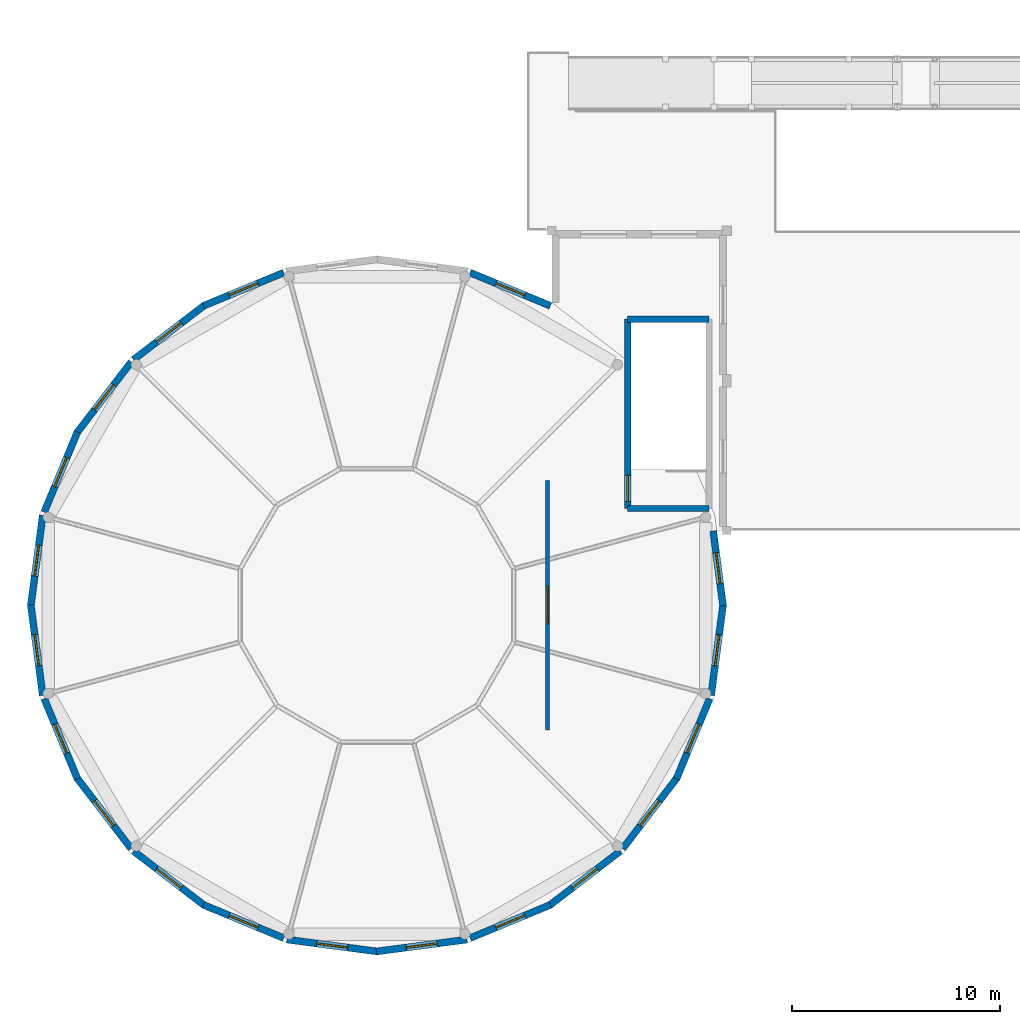
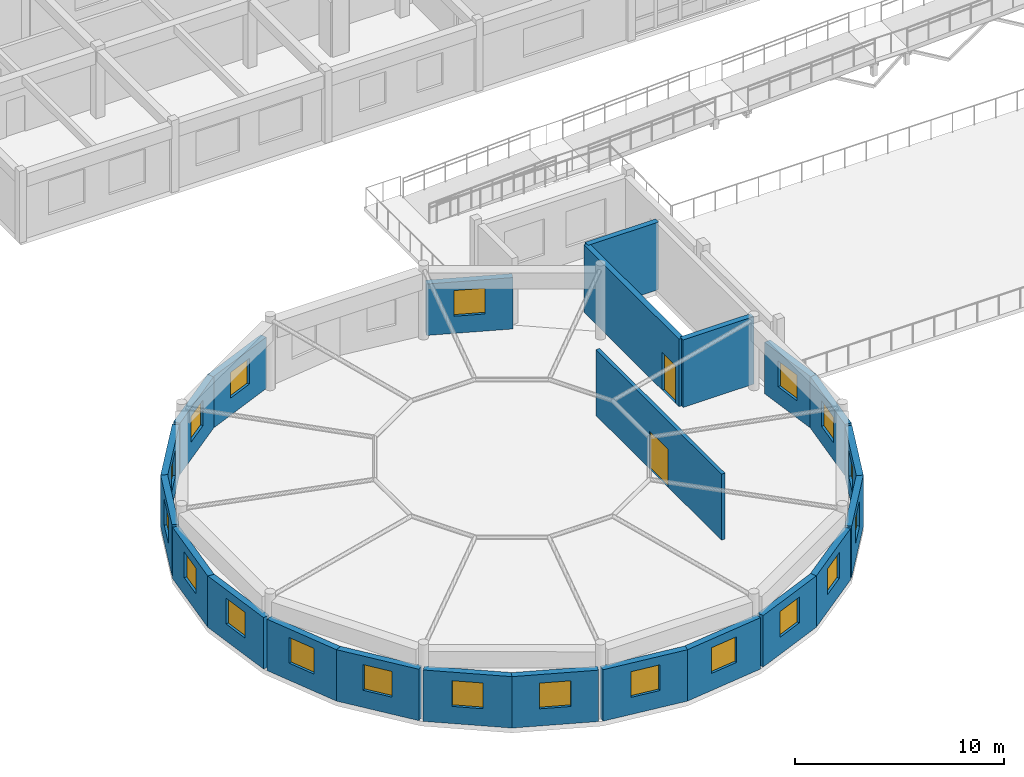
# One storey, part 67 of 90: 23 walls, 19 windows, 2 doors, 21 openings.
"""IFC4 building model written with IfcOpenShell, lengths in metres."""

from ifc_helpers import new_model, si_unit, direction, frame, frame_2d, origin, place, context, subcontext, project, spatial, rectangle, extrude, material, layer, layer_set, type_object, element, fill, save


model = new_model("IFC4")

# Units and contexts
model_context = context("Model", 3, precision=1e-05, world=origin(), true_north=direction((0.0, 1.0)))
body_context = subcontext(model_context, "Body", "Model", "MODEL_VIEW")
ifc_project = project(units=[si_unit("LENGTHUNIT", "METRE"), si_unit("AREAUNIT", "SQUARE_METRE"), si_unit("VOLUMEUNIT", "CUBIC_METRE"), si_unit("PLANEANGLEUNIT", "RADIAN"), si_unit("MASSUNIT", "GRAM", prefix="KILO")], contexts=[model_context])

# Site, building, storey
site_placement = place(None, origin())
site = spatial("IfcSite", under=ifc_project, at=site_placement, CompositionType="ELEMENT")
building_placement = place(site_placement, origin())
building = spatial("IfcBuilding", under=site, at=building_placement, Name="Malvenik Polytechnic", CompositionType="ELEMENT")
storey_placement = place(building_placement, frame((0.0, 0.0, 9.300048828125)))
storey = spatial("IfcBuildingStorey", under=building, at=storey_placement, Name="L02", CompositionType="ELEMENT", Elevation=9.300048828125)

# Wall
ifc_material_1 = material(Name="Concrete C35/45", Category="concrete")
ifc_layer_1 = layer(ifc_material_1, 0.300048828125)
ifc_layer_set_1 = layer_set([ifc_layer_1], Name="Concrete C35/45")
wall_type_1 = type_object("IfcWallType", Name="ARC-CW-S300", PredefinedType="SHEAR", material=ifc_layer_set_1)
wall_1_placement = place(storey_placement, frame((32.75, 22.64990234375, 0.0), z_axis=(0.0, 0.0, 1.0), x_axis=(-1.0, 0.0, 0.0)))
element("IfcWall", 1, at=wall_1_placement, inside=storey, type_object=wall_type_1, Name="Stair Core Shear Wall ST-09 L02 NEAR", PredefinedType="SHEAR", context=body_context, shape_type="SweptSolid", body=[
    extrude(rectangle(XDim=3.89990234375, YDim=0.300048828125, at=frame_2d((1.949951171875, 0.0))), origin(), (0.0, 0.0, 1.0), 3.93994140625),
])

# Wall, opening, door
wall_2_placement = place(storey_placement, frame((28.85009765625, 22.64990234375, 0.0), z_axis=(0.0, 0.0, 1.0), x_axis=(0.0, 1.0, 0.0)))
wall_2 = element("IfcWall", 2, at=wall_2_placement, inside=storey, type_object=wall_type_1, Name="Stair Core Shear Wall ST-09 L02 RGHT", PredefinedType="SHEAR", context=body_context, shape_type="SweptSolid", body=[
    extrude(rectangle(XDim=9.10009765625, YDim=0.300048828125, at=frame_2d((4.550048828125, 0.0))), origin(), (0.0, 0.0, 1.0), 3.93994140625),
])
opening_1_placement = place(wall_2_placement, frame((0.35009765625, 0.0, 0.0)))
opening_1 = element("IfcOpeningElement", 3, at=opening_1_placement, cuts=wall_2, Name="Opening SD-02", PredefinedType="OPENING", context=body_context, shape_type="SweptSolid", body=[
    extrude(rectangle(XDim=1.25, YDim=2.199951171875, at=frame_2d((0.625, 1.10009765625))), frame((0.0, 0.16015625, 0.0), z_axis=(0.0, -1.0, 0.0), x_axis=(1.0, 0.0, 0.0)), (0.0, 0.0, 1.0), 0.320068359375),
])
ifc_material_2 = material(Name="Fire-rated steel stair enclosure door", Category="steel")
door_type_1 = type_object("IfcDoorType", Name="ARC-IDR-SD-02", OperationType="NOTDEFINED", PredefinedType="DOOR", material=ifc_material_2)
door_1_placement = place(opening_1_placement, origin())
door_1 = element("IfcDoor", 4, at=door_1_placement, inside=storey, type_object=door_type_1, Name="Fire Stair Door ST-09 L02", OperationType="SINGLE_SWING_LEFT", OverallHeight=2.199951171875, OverallWidth=1.25, PredefinedType="DOOR", context=body_context, shape_type="SweptSolid", body=[
    extrude(rectangle(XDim=1.25, YDim=2.199951171875, at=frame_2d((0.625, 1.10009765625))), frame((0.0, 0.02490234375, 0.0), z_axis=(0.0, -1.0, 0.0), x_axis=(1.0, 0.0, 0.0)), (0.0, 0.0, 1.0), 0.050048828125),
])
fill(opening_1, door_1)

# Wall
wall_3_placement = place(storey_placement, frame((28.85009765625, 31.75, 0.0), z_axis=(0.0, 0.0, 1.0), x_axis=(1.0, 0.0, 0.0)))
element("IfcWall", 5, at=wall_3_placement, inside=storey, type_object=wall_type_1, Name="Stair Core Shear Wall ST-09 L02 FAR", PredefinedType="SHEAR", context=body_context, shape_type="SweptSolid", body=[
    extrude(rectangle(XDim=3.89990234375, YDim=0.300048828125, at=frame_2d((1.949951171875, 0.0))), origin(), (0.0, 0.0, 1.0), 3.93994140625),
])

# Wall, opening, window
ifc_material_3 = material(Name="Concrete C30/37", Category="concrete")
ifc_layer_2 = layer(ifc_material_3, 0.340087890625)
ifc_layer_set_2 = layer_set([ifc_layer_2], Name="Concrete C30/37")
wall_type_2 = type_object("IfcWallType", Name="ARC-EW-340", PredefinedType="SOLIDWALL", material=ifc_layer_set_2)
wall_4_placement = place(storey_placement, frame((32.7890625, 13.52001953125, 0.0), z_axis=(0.0, 0.0, 1.0), x_axis=(-0.382711791263, -0.923867785361, 0.0)))
wall_4 = element("IfcWall", 6, at=wall_4_placement, inside=storey, type_object=wall_type_2, Name="External Facade Wall EW-02 L02 #352", PredefinedType="SOLIDWALL", context=body_context, shape_type="SweptSolid", body=[
    extrude(rectangle(XDim=4.172607421875, YDim=0.340087890625, at=frame_2d((2.08642578125, 0.0))), origin(), (0.0, 0.0, 1.0), 3.0),
])
opening_2_placement = place(wall_4_placement, frame((1.336181640625, 0.0, 1.0)))
opening_2 = element("IfcOpeningElement", 7, at=opening_2_placement, cuts=wall_4, Name="Opening W-OC2", PredefinedType="OPENING", context=body_context, shape_type="SweptSolid", body=[
    extrude(rectangle(XDim=1.5, YDim=1.5, at=frame_2d((0.75, 0.75))), frame((0.0, 0.18017578125, 0.0), z_axis=(0.0, -1.0, 0.0), x_axis=(1.0, 0.0, 0.0)), (0.0, 0.0, 1.0), 0.360107421875),
])
ifc_material_4 = material(Name="Thermally broken aluminium frame with low-E double glazing", Category="aluminium")
window_type = type_object("IfcWindowType", Name="ARC-WIN-W-OC2", PartitioningType="SINGLE_PANEL", PredefinedType="WINDOW", material=ifc_material_4)
window_1_placement = place(opening_2_placement, origin())
window_1 = element("IfcWindow", 8, at=window_1_placement, inside=storey, type_object=window_type, Name="Rotunda Ocular Window W-OC2 L02 #351", OverallHeight=1.5, OverallWidth=1.5, PartitioningType="SINGLE_PANEL", PredefinedType="WINDOW", context=body_context, shape_type="SweptSolid", body=[
    extrude(rectangle(XDim=1.5, YDim=1.5, at=frame_2d((0.75, 0.75))), frame((0.0, 0.030029296875, 0.0), z_axis=(0.0, -1.0, 0.0), x_axis=(1.0, 0.0, 0.0)), (0.0, 0.0, 1.0), 0.06005859375),
])
fill(opening_2, window_1)

wall_5_placement = place(storey_placement, frame((31.21435546875, 9.70361328125, 0.0), z_axis=(0.0, 0.0, 1.0), x_axis=(-0.608762012481, -0.793352892577, 0.0)))
wall_5 = element("IfcWall", 9, at=wall_5_placement, inside=storey, type_object=wall_type_2, Name="External Facade Wall EW-02 L02 #353", PredefinedType="SOLIDWALL", context=body_context, shape_type="SweptSolid", body=[
    extrude(rectangle(XDim=4.280029296875, YDim=0.340087890625, at=frame_2d((2.14013671875, 0.0))), origin(), (0.0, 0.0, 1.0), 3.0),
])
opening_3_placement = place(wall_5_placement, frame((1.389892578125, 0.0, 1.0)))
opening_3 = element("IfcOpeningElement", 10, at=opening_3_placement, cuts=wall_5, Name="Opening W-OC2", PredefinedType="OPENING", context=body_context, shape_type="SweptSolid", body=[
    extrude(rectangle(XDim=1.5, YDim=1.5, at=frame_2d((0.75, 0.75))), frame((0.0, 0.18017578125, 0.0), z_axis=(0.0, -1.0, 0.0), x_axis=(1.0, 0.0, 0.0)), (0.0, 0.0, 1.0), 0.360107421875),
])
window_2_placement = place(opening_3_placement, origin())
window_2 = element("IfcWindow", 11, at=window_2_placement, inside=storey, type_object=window_type, Name="Rotunda Ocular Window W-OC2 L02 #352", OverallHeight=1.5, OverallWidth=1.5, PartitioningType="SINGLE_PANEL", PredefinedType="WINDOW", context=body_context, shape_type="SweptSolid", body=[
    extrude(rectangle(XDim=1.5, YDim=1.5, at=frame_2d((0.75, 0.75))), frame((0.0, 0.030029296875, 0.0), z_axis=(0.0, -1.0, 0.0), x_axis=(1.0, 0.0, 0.0)), (0.0, 0.0, 1.0), 0.06005859375),
])
fill(opening_3, window_2)

wall_6_placement = place(storey_placement, frame((28.491943359375, 6.19091796875, 0.0), z_axis=(0.0, 0.0, 1.0), x_axis=(-0.793380442346, -0.608726107296, 0.0)))
wall_6 = element("IfcWall", 12, at=wall_6_placement, inside=storey, type_object=wall_type_2, Name="External Facade Wall EW-02 L02 #354", PredefinedType="SOLIDWALL", context=body_context, shape_type="SweptSolid", body=[
    extrude(rectangle(XDim=4.27978515625, YDim=0.340087890625, at=frame_2d((2.139892578125, 0.0))), origin(), (0.0, 0.0, 1.0), 3.0),
])
opening_4_placement = place(wall_6_placement, frame((1.389892578125, 0.0, 1.0)))
opening_4 = element("IfcOpeningElement", 13, at=opening_4_placement, cuts=wall_6, Name="Opening W-OC2", PredefinedType="OPENING", context=body_context, shape_type="SweptSolid", body=[
    extrude(rectangle(XDim=1.5, YDim=1.5, at=frame_2d((0.75, 0.75))), frame((0.0, 0.18017578125, 0.0), z_axis=(0.0, -1.0, 0.0), x_axis=(1.0, 0.0, 0.0)), (0.0, 0.0, 1.0), 0.360107421875),
])
window_3_placement = place(opening_4_placement, origin())
window_3 = element("IfcWindow", 14, at=window_3_placement, inside=storey, type_object=window_type, Name="Rotunda Ocular Window W-OC2 L02 #353", OverallHeight=1.5, OverallWidth=1.5, PartitioningType="SINGLE_PANEL", PredefinedType="WINDOW", context=body_context, shape_type="SweptSolid", body=[
    extrude(rectangle(XDim=1.5, YDim=1.5, at=frame_2d((0.75, 0.75))), frame((0.0, 0.030029296875, 0.0), z_axis=(0.0, -1.0, 0.0), x_axis=(1.0, 0.0, 0.0)), (0.0, 0.0, 1.0), 0.06005859375),
])
fill(opening_4, window_3)

wall_7_placement = place(storey_placement, frame((25.135009765625, 3.60791015625, 0.0), z_axis=(0.0, 0.0, 1.0), x_axis=(-0.923867785361, -0.382711791263, 0.0)))
wall_7 = element("IfcWall", 15, at=wall_7_placement, inside=storey, type_object=wall_type_2, Name="External Facade Wall EW-02 L02 #355", PredefinedType="SOLIDWALL", context=body_context, shape_type="SweptSolid", body=[
    extrude(rectangle(XDim=4.172607421875, YDim=0.340087890625, at=frame_2d((2.08642578125, 0.0))), origin(), (0.0, 0.0, 1.0), 3.0),
])
opening_5_placement = place(wall_7_placement, frame((1.336181640625, 0.0, 1.0)))
opening_5 = element("IfcOpeningElement", 16, at=opening_5_placement, cuts=wall_7, Name="Opening W-OC2", PredefinedType="OPENING", context=body_context, shape_type="SweptSolid", body=[
    extrude(rectangle(XDim=1.5, YDim=1.5, at=frame_2d((0.75, 0.75))), frame((0.0, 0.18017578125, 0.0), z_axis=(0.0, -1.0, 0.0), x_axis=(1.0, 0.0, 0.0)), (0.0, 0.0, 1.0), 0.360107421875),
])
window_4_placement = place(opening_5_placement, origin())
window_4 = element("IfcWindow", 17, at=window_4_placement, inside=storey, type_object=window_type, Name="Rotunda Ocular Window W-OC2 L02 #354", OverallHeight=1.5, OverallWidth=1.5, PartitioningType="SINGLE_PANEL", PredefinedType="WINDOW", context=body_context, shape_type="SweptSolid", body=[
    extrude(rectangle(XDim=1.5, YDim=1.5, at=frame_2d((0.75, 0.75))), frame((0.0, 0.030029296875, 0.0), z_axis=(0.0, -1.0, 0.0), x_axis=(1.0, 0.0, 0.0)), (0.0, 0.0, 1.0), 0.06005859375),
])
fill(opening_5, window_4)

wall_8_placement = place(storey_placement, frame((21.1259765625, 1.94091796875, 0.0), z_axis=(0.0, 0.0, 1.0), x_axis=(-0.991442923275, -0.130540912694, 0.0)))
wall_8 = element("IfcWall", 18, at=wall_8_placement, inside=storey, type_object=wall_type_2, Name="External Facade Wall EW-02 L02 #356", PredefinedType="SOLIDWALL", context=body_context, shape_type="SweptSolid", body=[
    extrude(rectangle(XDim=4.3857421875, YDim=0.340087890625, at=frame_2d((2.19287109375, 0.0))), origin(), (0.0, 0.0, 1.0), 3.0),
])
opening_6_placement = place(wall_8_placement, frame((1.44287109375, 0.0, 1.0)))
opening_6 = element("IfcOpeningElement", 19, at=opening_6_placement, cuts=wall_8, Name="Opening W-OC2", PredefinedType="OPENING", context=body_context, shape_type="SweptSolid", body=[
    extrude(rectangle(XDim=1.5, YDim=1.5, at=frame_2d((0.75, 0.75))), frame((0.0, 0.18017578125, 0.0), z_axis=(0.0, -1.0, 0.0), x_axis=(1.0, 0.0, 0.0)), (0.0, 0.0, 1.0), 0.360107421875),
])
window_5_placement = place(opening_6_placement, origin())
window_5 = element("IfcWindow", 20, at=window_5_placement, inside=storey, type_object=window_type, Name="Rotunda Ocular Window W-OC2 L02 #355", OverallHeight=1.5, OverallWidth=1.5, PartitioningType="SINGLE_PANEL", PredefinedType="WINDOW", context=body_context, shape_type="SweptSolid", body=[
    extrude(rectangle(XDim=1.5, YDim=1.5, at=frame_2d((0.75, 0.75))), frame((0.0, 0.030029296875, 0.0), z_axis=(0.0, -1.0, 0.0), x_axis=(1.0, 0.0, 0.0)), (0.0, 0.0, 1.0), 0.06005859375),
])
fill(opening_6, window_5)

wall_9_placement = place(storey_placement, frame((16.822265625, 1.368408203125, 0.0), z_axis=(0.0, 0.0, 1.0), x_axis=(-0.991442923275, 0.130540912694, 0.0)))
wall_9 = element("IfcWall", 21, at=wall_9_placement, inside=storey, type_object=wall_type_2, Name="External Facade Wall EW-02 L02 #357", PredefinedType="SOLIDWALL", context=body_context, shape_type="SweptSolid", body=[
    extrude(rectangle(XDim=4.3857421875, YDim=0.340087890625, at=frame_2d((2.19287109375, 0.0))), origin(), (0.0, 0.0, 1.0), 3.0),
])
opening_7_placement = place(wall_9_placement, frame((1.44287109375, 0.0, 1.0)))
opening_7 = element("IfcOpeningElement", 22, at=opening_7_placement, cuts=wall_9, Name="Opening W-OC2", PredefinedType="OPENING", context=body_context, shape_type="SweptSolid", body=[
    extrude(rectangle(XDim=1.5, YDim=1.5, at=frame_2d((0.75, 0.75))), frame((0.0, 0.18017578125, 0.0), z_axis=(0.0, -1.0, 0.0), x_axis=(1.0, 0.0, 0.0)), (0.0, 0.0, 1.0), 0.360107421875),
])
window_6_placement = place(opening_7_placement, origin())
window_6 = element("IfcWindow", 23, at=window_6_placement, inside=storey, type_object=window_type, Name="Rotunda Ocular Window W-OC2 L02 #356", OverallHeight=1.5, OverallWidth=1.5, PartitioningType="SINGLE_PANEL", PredefinedType="WINDOW", context=body_context, shape_type="SweptSolid", body=[
    extrude(rectangle(XDim=1.5, YDim=1.5, at=frame_2d((0.75, 0.75))), frame((0.0, 0.030029296875, 0.0), z_axis=(0.0, -1.0, 0.0), x_axis=(1.0, 0.0, 0.0)), (0.0, 0.0, 1.0), 0.06005859375),
])
fill(opening_7, window_6)

wall_10_placement = place(storey_placement, frame((12.320068359375, 2.010986328125, 0.0), z_axis=(0.0, 0.0, 1.0), x_axis=(-0.923867785361, 0.382711791263, 0.0)))
wall_10 = element("IfcWall", 24, at=wall_10_placement, inside=storey, type_object=wall_type_2, Name="External Facade Wall EW-02 L02 #358", PredefinedType="SOLIDWALL", context=body_context, shape_type="SweptSolid", body=[
    extrude(rectangle(XDim=4.172607421875, YDim=0.340087890625, at=frame_2d((2.08642578125, 0.0))), origin(), (0.0, 0.0, 1.0), 3.0),
])
opening_8_placement = place(wall_10_placement, frame((1.336181640625, 0.0, 1.0)))
opening_8 = element("IfcOpeningElement", 25, at=opening_8_placement, cuts=wall_10, Name="Opening W-OC2", PredefinedType="OPENING", context=body_context, shape_type="SweptSolid", body=[
    extrude(rectangle(XDim=1.5, YDim=1.5, at=frame_2d((0.75, 0.75))), frame((0.0, 0.18017578125, 0.0), z_axis=(0.0, -1.0, 0.0), x_axis=(1.0, 0.0, 0.0)), (0.0, 0.0, 1.0), 0.360107421875),
])
window_7_placement = place(opening_8_placement, origin())
window_7 = element("IfcWindow", 26, at=window_7_placement, inside=storey, type_object=window_type, Name="Rotunda Ocular Window W-OC2 L02 #357", OverallHeight=1.5, OverallWidth=1.5, PartitioningType="SINGLE_PANEL", PredefinedType="WINDOW", context=body_context, shape_type="SweptSolid", body=[
    extrude(rectangle(XDim=1.5, YDim=1.5, at=frame_2d((0.75, 0.75))), frame((0.0, 0.030029296875, 0.0), z_axis=(0.0, -1.0, 0.0), x_axis=(1.0, 0.0, 0.0)), (0.0, 0.0, 1.0), 0.06005859375),
])
fill(opening_8, window_7)

wall_11_placement = place(storey_placement, frame((8.50341796875, 3.585693359375, 0.0), z_axis=(0.0, 0.0, 1.0), x_axis=(-0.793359303068, 0.608753658088, 0.0)))
wall_11 = element("IfcWall", 27, at=wall_11_placement, inside=storey, type_object=wall_type_2, Name="External Facade Wall EW-02 L02 #359", PredefinedType="SOLIDWALL", context=body_context, shape_type="SweptSolid", body=[
    extrude(rectangle(XDim=4.279541015625, YDim=0.340087890625, at=frame_2d((2.1396484375, 0.0))), origin(), (0.0, 0.0, 1.0), 3.0),
])
opening_9_placement = place(wall_11_placement, frame((1.389892578125, 0.0, 1.0)))
opening_9 = element("IfcOpeningElement", 28, at=opening_9_placement, cuts=wall_11, Name="Opening W-OC2", PredefinedType="OPENING", context=body_context, shape_type="SweptSolid", body=[
    extrude(rectangle(XDim=1.5, YDim=1.5, at=frame_2d((0.75, 0.75))), frame((0.0, 0.18017578125, 0.0), z_axis=(0.0, -1.0, 0.0), x_axis=(1.0, 0.0, 0.0)), (0.0, 0.0, 1.0), 0.360107421875),
])
window_8_placement = place(opening_9_placement, origin())
window_8 = element("IfcWindow", 29, at=window_8_placement, inside=storey, type_object=window_type, Name="Rotunda Ocular Window W-OC2 L02 #358", OverallHeight=1.5, OverallWidth=1.5, PartitioningType="SINGLE_PANEL", PredefinedType="WINDOW", context=body_context, shape_type="SweptSolid", body=[
    extrude(rectangle(XDim=1.5, YDim=1.5, at=frame_2d((0.75, 0.75))), frame((0.0, 0.030029296875, 0.0), z_axis=(0.0, -1.0, 0.0), x_axis=(1.0, 0.0, 0.0)), (0.0, 0.0, 1.0), 0.06005859375),
])
fill(opening_9, window_8)

wall_12_placement = place(storey_placement, frame((4.990966796875, 6.30810546875, 0.0), z_axis=(0.0, 0.0, 1.0), x_axis=(-0.608726107296, 0.793380442346, 0.0)))
wall_12 = element("IfcWall", 30, at=wall_12_placement, inside=storey, type_object=wall_type_2, Name="External Facade Wall EW-02 L02 #360", PredefinedType="SOLIDWALL", context=body_context, shape_type="SweptSolid", body=[
    extrude(rectangle(XDim=4.27978515625, YDim=0.340087890625, at=frame_2d((2.139892578125, 0.0))), origin(), (0.0, 0.0, 1.0), 3.0),
])
opening_10_placement = place(wall_12_placement, frame((1.389892578125, 0.0, 1.0)))
opening_10 = element("IfcOpeningElement", 31, at=opening_10_placement, cuts=wall_12, Name="Opening W-OC2", PredefinedType="OPENING", context=body_context, shape_type="SweptSolid", body=[
    extrude(rectangle(XDim=1.5, YDim=1.5, at=frame_2d((0.75, 0.75))), frame((0.0, 0.18017578125, 0.0), z_axis=(0.0, -1.0, 0.0), x_axis=(1.0, 0.0, 0.0)), (0.0, 0.0, 1.0), 0.360107421875),
])
window_9_placement = place(opening_10_placement, origin())
window_9 = element("IfcWindow", 32, at=window_9_placement, inside=storey, type_object=window_type, Name="Rotunda Ocular Window W-OC2 L02 #359", OverallHeight=1.5, OverallWidth=1.5, PartitioningType="SINGLE_PANEL", PredefinedType="WINDOW", context=body_context, shape_type="SweptSolid", body=[
    extrude(rectangle(XDim=1.5, YDim=1.5, at=frame_2d((0.75, 0.75))), frame((0.0, 0.030029296875, 0.0), z_axis=(0.0, -1.0, 0.0), x_axis=(1.0, 0.0, 0.0)), (0.0, 0.0, 1.0), 0.06005859375),
])
fill(opening_10, window_9)

wall_13_placement = place(storey_placement, frame((2.407958984375, 9.6650390625, 0.0), z_axis=(0.0, 0.0, 1.0), x_axis=(-0.382711791263, 0.923867785361, 0.0)))
wall_13 = element("IfcWall", 33, at=wall_13_placement, inside=storey, type_object=wall_type_2, Name="External Facade Wall EW-02 L02 #361", PredefinedType="SOLIDWALL", context=body_context, shape_type="SweptSolid", body=[
    extrude(rectangle(XDim=4.172607421875, YDim=0.340087890625, at=frame_2d((2.08642578125, 0.0))), origin(), (0.0, 0.0, 1.0), 3.0),
])
opening_11_placement = place(wall_13_placement, frame((1.336181640625, 0.0, 1.0)))
opening_11 = element("IfcOpeningElement", 34, at=opening_11_placement, cuts=wall_13, Name="Opening W-OC2", PredefinedType="OPENING", context=body_context, shape_type="SweptSolid", body=[
    extrude(rectangle(XDim=1.5, YDim=1.5, at=frame_2d((0.75, 0.75))), frame((0.0, 0.18017578125, 0.0), z_axis=(0.0, -1.0, 0.0), x_axis=(1.0, 0.0, 0.0)), (0.0, 0.0, 1.0), 0.360107421875),
])
window_10_placement = place(opening_11_placement, origin())
window_10 = element("IfcWindow", 35, at=window_10_placement, inside=storey, type_object=window_type, Name="Rotunda Ocular Window W-OC2 L02 #360", OverallHeight=1.5, OverallWidth=1.5, PartitioningType="SINGLE_PANEL", PredefinedType="WINDOW", context=body_context, shape_type="SweptSolid", body=[
    extrude(rectangle(XDim=1.5, YDim=1.5, at=frame_2d((0.75, 0.75))), frame((0.0, 0.030029296875, 0.0), z_axis=(0.0, -1.0, 0.0), x_axis=(1.0, 0.0, 0.0)), (0.0, 0.0, 1.0), 0.06005859375),
])
fill(opening_11, window_10)

wall_14_placement = place(storey_placement, frame((0.740966796875, 13.674072265625, 0.0), z_axis=(0.0, 0.0, 1.0), x_axis=(-0.130540912694, 0.991442923275, 0.0)))
wall_14 = element("IfcWall", 36, at=wall_14_placement, inside=storey, type_object=wall_type_2, Name="External Facade Wall EW-02 L02 #362", PredefinedType="SOLIDWALL", context=body_context, shape_type="SweptSolid", body=[
    extrude(rectangle(XDim=4.3857421875, YDim=0.340087890625, at=frame_2d((2.19287109375, 0.0))), origin(), (0.0, 0.0, 1.0), 3.0),
])
opening_12_placement = place(wall_14_placement, frame((1.44287109375, 0.0, 1.0)))
opening_12 = element("IfcOpeningElement", 37, at=opening_12_placement, cuts=wall_14, Name="Opening W-OC2", PredefinedType="OPENING", context=body_context, shape_type="SweptSolid", body=[
    extrude(rectangle(XDim=1.5, YDim=1.5, at=frame_2d((0.75, 0.75))), frame((0.0, 0.18017578125, 0.0), z_axis=(0.0, -1.0, 0.0), x_axis=(1.0, 0.0, 0.0)), (0.0, 0.0, 1.0), 0.360107421875),
])
window_11_placement = place(opening_12_placement, origin())
window_11 = element("IfcWindow", 38, at=window_11_placement, inside=storey, type_object=window_type, Name="Rotunda Ocular Window W-OC2 L02 #361", OverallHeight=1.5, OverallWidth=1.5, PartitioningType="SINGLE_PANEL", PredefinedType="WINDOW", context=body_context, shape_type="SweptSolid", body=[
    extrude(rectangle(XDim=1.5, YDim=1.5, at=frame_2d((0.75, 0.75))), frame((0.0, 0.030029296875, 0.0), z_axis=(0.0, -1.0, 0.0), x_axis=(1.0, 0.0, 0.0)), (0.0, 0.0, 1.0), 0.06005859375),
])
fill(opening_12, window_11)

wall_15_placement = place(storey_placement, frame((0.16845703125, 17.977783203125, 0.0), z_axis=(0.0, 0.0, 1.0), x_axis=(0.130540912694, 0.991442923275, 0.0)))
wall_15 = element("IfcWall", 39, at=wall_15_placement, inside=storey, type_object=wall_type_2, Name="External Facade Wall EW-02 L02 #363", PredefinedType="SOLIDWALL", context=body_context, shape_type="SweptSolid", body=[
    extrude(rectangle(XDim=4.3857421875, YDim=0.340087890625, at=frame_2d((2.19287109375, 0.0))), origin(), (0.0, 0.0, 1.0), 3.0),
])
opening_13_placement = place(wall_15_placement, frame((1.44287109375, 0.0, 1.0)))
opening_13 = element("IfcOpeningElement", 40, at=opening_13_placement, cuts=wall_15, Name="Opening W-OC2", PredefinedType="OPENING", context=body_context, shape_type="SweptSolid", body=[
    extrude(rectangle(XDim=1.5, YDim=1.5, at=frame_2d((0.75, 0.75))), frame((0.0, 0.18017578125, 0.0), z_axis=(0.0, -1.0, 0.0), x_axis=(1.0, 0.0, 0.0)), (0.0, 0.0, 1.0), 0.360107421875),
])
window_12_placement = place(opening_13_placement, origin())
window_12 = element("IfcWindow", 41, at=window_12_placement, inside=storey, type_object=window_type, Name="Rotunda Ocular Window W-OC2 L02 #362", OverallHeight=1.5, OverallWidth=1.5, PartitioningType="SINGLE_PANEL", PredefinedType="WINDOW", context=body_context, shape_type="SweptSolid", body=[
    extrude(rectangle(XDim=1.5, YDim=1.5, at=frame_2d((0.75, 0.75))), frame((0.0, 0.030029296875, 0.0), z_axis=(0.0, -1.0, 0.0), x_axis=(1.0, 0.0, 0.0)), (0.0, 0.0, 1.0), 0.06005859375),
])
fill(opening_13, window_12)

wall_16_placement = place(storey_placement, frame((0.81103515625, 22.47998046875, 0.0), z_axis=(0.0, 0.0, 1.0), x_axis=(0.382711791263, 0.923867785361, 0.0)))
wall_16 = element("IfcWall", 42, at=wall_16_placement, inside=storey, type_object=wall_type_2, Name="External Facade Wall EW-02 L02 #364", PredefinedType="SOLIDWALL", context=body_context, shape_type="SweptSolid", body=[
    extrude(rectangle(XDim=4.172607421875, YDim=0.340087890625, at=frame_2d((2.08642578125, 0.0))), origin(), (0.0, 0.0, 1.0), 3.0),
])
opening_14_placement = place(wall_16_placement, frame((1.336181640625, 0.0, 1.0)))
opening_14 = element("IfcOpeningElement", 43, at=opening_14_placement, cuts=wall_16, Name="Opening W-OC2", PredefinedType="OPENING", context=body_context, shape_type="SweptSolid", body=[
    extrude(rectangle(XDim=1.5, YDim=1.5, at=frame_2d((0.75, 0.75))), frame((0.0, 0.18017578125, 0.0), z_axis=(0.0, -1.0, 0.0), x_axis=(1.0, 0.0, 0.0)), (0.0, 0.0, 1.0), 0.360107421875),
])
window_13_placement = place(opening_14_placement, origin())
window_13 = element("IfcWindow", 44, at=window_13_placement, inside=storey, type_object=window_type, Name="Rotunda Ocular Window W-OC2 L02 #363", OverallHeight=1.5, OverallWidth=1.5, PartitioningType="SINGLE_PANEL", PredefinedType="WINDOW", context=body_context, shape_type="SweptSolid", body=[
    extrude(rectangle(XDim=1.5, YDim=1.5, at=frame_2d((0.75, 0.75))), frame((0.0, 0.030029296875, 0.0), z_axis=(0.0, -1.0, 0.0), x_axis=(1.0, 0.0, 0.0)), (0.0, 0.0, 1.0), 0.06005859375),
])
fill(opening_14, window_13)

wall_17_placement = place(storey_placement, frame((2.3857421875, 26.29638671875, 0.0), z_axis=(0.0, 0.0, 1.0), x_axis=(0.608726107296, 0.793380442346, 0.0)))
wall_17 = element("IfcWall", 45, at=wall_17_placement, inside=storey, type_object=wall_type_2, Name="External Facade Wall EW-02 L02 #365", PredefinedType="SOLIDWALL", context=body_context, shape_type="SweptSolid", body=[
    extrude(rectangle(XDim=4.27978515625, YDim=0.340087890625, at=frame_2d((2.139892578125, 0.0))), origin(), (0.0, 0.0, 1.0), 3.0),
])
opening_15_placement = place(wall_17_placement, frame((1.389892578125, 0.0, 1.0)))
opening_15 = element("IfcOpeningElement", 46, at=opening_15_placement, cuts=wall_17, Name="Opening W-OC2", PredefinedType="OPENING", context=body_context, shape_type="SweptSolid", body=[
    extrude(rectangle(XDim=1.5, YDim=1.5, at=frame_2d((0.75, 0.75))), frame((0.0, 0.18017578125, 0.0), z_axis=(0.0, -1.0, 0.0), x_axis=(1.0, 0.0, 0.0)), (0.0, 0.0, 1.0), 0.360107421875),
])
window_14_placement = place(opening_15_placement, origin())
window_14 = element("IfcWindow", 47, at=window_14_placement, inside=storey, type_object=window_type, Name="Rotunda Ocular Window W-OC2 L02 #364", OverallHeight=1.5, OverallWidth=1.5, PartitioningType="SINGLE_PANEL", PredefinedType="WINDOW", context=body_context, shape_type="SweptSolid", body=[
    extrude(rectangle(XDim=1.5, YDim=1.5, at=frame_2d((0.75, 0.75))), frame((0.0, 0.030029296875, 0.0), z_axis=(0.0, -1.0, 0.0), x_axis=(1.0, 0.0, 0.0)), (0.0, 0.0, 1.0), 0.06005859375),
])
fill(opening_15, window_14)

wall_18_placement = place(storey_placement, frame((5.108154296875, 29.80908203125, 0.0), z_axis=(0.0, 0.0, 1.0), x_axis=(0.793359303068, 0.608753658088, 0.0)))
wall_18 = element("IfcWall", 48, at=wall_18_placement, inside=storey, type_object=wall_type_2, Name="External Facade Wall EW-02 L02 #366", PredefinedType="SOLIDWALL", context=body_context, shape_type="SweptSolid", body=[
    extrude(rectangle(XDim=4.279541015625, YDim=0.340087890625, at=frame_2d((2.1396484375, 0.0))), origin(), (0.0, 0.0, 1.0), 3.0),
])
opening_16_placement = place(wall_18_placement, frame((1.389892578125, 0.0, 1.0)))
opening_16 = element("IfcOpeningElement", 49, at=opening_16_placement, cuts=wall_18, Name="Opening W-OC2", PredefinedType="OPENING", context=body_context, shape_type="SweptSolid", body=[
    extrude(rectangle(XDim=1.5, YDim=1.5, at=frame_2d((0.75, 0.75))), frame((0.0, 0.18017578125, 0.0), z_axis=(0.0, -1.0, 0.0), x_axis=(1.0, 0.0, 0.0)), (0.0, 0.0, 1.0), 0.360107421875),
])
window_15_placement = place(opening_16_placement, origin())
window_15 = element("IfcWindow", 50, at=window_15_placement, inside=storey, type_object=window_type, Name="Rotunda Ocular Window W-OC2 L02 #365", OverallHeight=1.5, OverallWidth=1.5, PartitioningType="SINGLE_PANEL", PredefinedType="WINDOW", context=body_context, shape_type="SweptSolid", body=[
    extrude(rectangle(XDim=1.5, YDim=1.5, at=frame_2d((0.75, 0.75))), frame((0.0, 0.030029296875, 0.0), z_axis=(0.0, -1.0, 0.0), x_axis=(1.0, 0.0, 0.0)), (0.0, 0.0, 1.0), 0.06005859375),
])
fill(opening_16, window_15)

wall_19_placement = place(storey_placement, frame((8.465087890625, 32.39208984375, 0.0), z_axis=(0.0, 0.0, 1.0), x_axis=(0.923867785361, 0.382711791263, 0.0)))
wall_19 = element("IfcWall", 51, at=wall_19_placement, inside=storey, type_object=wall_type_2, Name="External Facade Wall EW-02 L02 #367", PredefinedType="SOLIDWALL", context=body_context, shape_type="SweptSolid", body=[
    extrude(rectangle(XDim=4.172607421875, YDim=0.340087890625, at=frame_2d((2.08642578125, 0.0))), origin(), (0.0, 0.0, 1.0), 3.0),
])
opening_17_placement = place(wall_19_placement, frame((1.336181640625, 0.0, 1.0)))
opening_17 = element("IfcOpeningElement", 52, at=opening_17_placement, cuts=wall_19, Name="Opening W-OC2", PredefinedType="OPENING", context=body_context, shape_type="SweptSolid", body=[
    extrude(rectangle(XDim=1.5, YDim=1.5, at=frame_2d((0.75, 0.75))), frame((0.0, 0.18017578125, 0.0), z_axis=(0.0, -1.0, 0.0), x_axis=(1.0, 0.0, 0.0)), (0.0, 0.0, 1.0), 0.360107421875),
])
window_16_placement = place(opening_17_placement, origin())
window_16 = element("IfcWindow", 53, at=window_16_placement, inside=storey, type_object=window_type, Name="Rotunda Ocular Window W-OC2 L02 #366", OverallHeight=1.5, OverallWidth=1.5, PartitioningType="SINGLE_PANEL", PredefinedType="WINDOW", context=body_context, shape_type="SweptSolid", body=[
    extrude(rectangle(XDim=1.5, YDim=1.5, at=frame_2d((0.75, 0.75))), frame((0.0, 0.030029296875, 0.0), z_axis=(0.0, -1.0, 0.0), x_axis=(1.0, 0.0, 0.0)), (0.0, 0.0, 1.0), 0.06005859375),
])
fill(opening_17, window_16)

wall_20_placement = place(storey_placement, frame((21.280029296875, 33.989013671875, 0.0), z_axis=(0.0, 0.0, 1.0), x_axis=(0.923867785361, -0.382711791263, 0.0)))
wall_20 = element("IfcWall", 54, at=wall_20_placement, inside=storey, type_object=wall_type_2, Name="External Facade Wall EW-02 L02 #370", PredefinedType="SOLIDWALL", context=body_context, shape_type="SweptSolid", body=[
    extrude(rectangle(XDim=4.172607421875, YDim=0.340087890625, at=frame_2d((2.08642578125, 0.0))), origin(), (0.0, 0.0, 1.0), 3.0),
])
opening_18_placement = place(wall_20_placement, frame((1.336181640625, 0.0, 1.0)))
opening_18 = element("IfcOpeningElement", 55, at=opening_18_placement, cuts=wall_20, Name="Opening W-OC2", PredefinedType="OPENING", context=body_context, shape_type="SweptSolid", body=[
    extrude(rectangle(XDim=1.5, YDim=1.5, at=frame_2d((0.75, 0.75))), frame((0.0, 0.18017578125, 0.0), z_axis=(0.0, -1.0, 0.0), x_axis=(1.0, 0.0, 0.0)), (0.0, 0.0, 1.0), 0.360107421875),
])
window_17_placement = place(opening_18_placement, origin())
window_17 = element("IfcWindow", 56, at=window_17_placement, inside=storey, type_object=window_type, Name="Rotunda Ocular Window W-OC2 L02 #369", OverallHeight=1.5, OverallWidth=1.5, PartitioningType="SINGLE_PANEL", PredefinedType="WINDOW", context=body_context, shape_type="SweptSolid", body=[
    extrude(rectangle(XDim=1.5, YDim=1.5, at=frame_2d((0.75, 0.75))), frame((0.0, 0.030029296875, 0.0), z_axis=(0.0, -1.0, 0.0), x_axis=(1.0, 0.0, 0.0)), (0.0, 0.0, 1.0), 0.06005859375),
])
fill(opening_18, window_17)

wall_21_placement = place(storey_placement, frame((32.95751953125, 21.577880859375, 0.0), z_axis=(0.0, 0.0, 1.0), x_axis=(0.130503210904, -0.991447886651, 0.0)))
wall_21 = element("IfcWall", 57, at=wall_21_placement, inside=storey, type_object=wall_type_2, Name="External Facade Wall EW-02 L02 #375", PredefinedType="SOLIDWALL", context=body_context, shape_type="SweptSolid", body=[
    extrude(rectangle(XDim=3.631103515625, YDim=0.340087890625, at=frame_2d((1.8154296875, 0.0))), origin(), (0.0, 0.0, 1.0), 3.0),
])
opening_19_placement = place(wall_21_placement, frame((1.0654296875, 0.0, 1.0)))
opening_19 = element("IfcOpeningElement", 58, at=opening_19_placement, cuts=wall_21, Name="Opening W-OC2", PredefinedType="OPENING", context=body_context, shape_type="SweptSolid", body=[
    extrude(rectangle(XDim=1.5, YDim=1.5, at=frame_2d((0.75, 0.75))), frame((0.0, 0.18017578125, 0.0), z_axis=(0.0, -1.0, 0.0), x_axis=(1.0, 0.0, 0.0)), (0.0, 0.0, 1.0), 0.360107421875),
])
window_18_placement = place(opening_19_placement, origin())
window_18 = element("IfcWindow", 59, at=window_18_placement, inside=storey, type_object=window_type, Name="Rotunda Ocular Window W-OC2 L02 #374", OverallHeight=1.5, OverallWidth=1.5, PartitioningType="SINGLE_PANEL", PredefinedType="WINDOW", context=body_context, shape_type="SweptSolid", body=[
    extrude(rectangle(XDim=1.5, YDim=1.5, at=frame_2d((0.75, 0.75))), frame((0.0, 0.030029296875, 0.0), z_axis=(0.0, -1.0, 0.0), x_axis=(1.0, 0.0, 0.0)), (0.0, 0.0, 1.0), 0.06005859375),
])
fill(opening_19, window_18)

wall_22_placement = place(storey_placement, frame((33.431396484375, 18.022216796875, 0.0), z_axis=(0.0, 0.0, 1.0), x_axis=(-0.130486192962, -0.991450126555, 0.0)))
wall_22 = element("IfcWall", 60, at=wall_22_placement, inside=storey, type_object=wall_type_2, Name="External Facade Wall EW-02 L02 #376", PredefinedType="SOLIDWALL", context=body_context, shape_type="SweptSolid", body=[
    extrude(rectangle(XDim=4.3857421875, YDim=0.340087890625, at=frame_2d((2.19287109375, 0.0))), origin(), (0.0, 0.0, 1.0), 3.0),
])
opening_20_placement = place(wall_22_placement, frame((1.44287109375, 0.0, 1.0)))
opening_20 = element("IfcOpeningElement", 61, at=opening_20_placement, cuts=wall_22, Name="Opening W-OC2", PredefinedType="OPENING", context=body_context, shape_type="SweptSolid", body=[
    extrude(rectangle(XDim=1.5, YDim=1.5, at=frame_2d((0.75, 0.75))), frame((0.0, 0.18017578125, 0.0), z_axis=(0.0, -1.0, 0.0), x_axis=(1.0, 0.0, 0.0)), (0.0, 0.0, 1.0), 0.360107421875),
])
window_19_placement = place(opening_20_placement, origin())
window_19 = element("IfcWindow", 62, at=window_19_placement, inside=storey, type_object=window_type, Name="Rotunda Ocular Window W-OC2 L02 #375", OverallHeight=1.5, OverallWidth=1.5, PartitioningType="SINGLE_PANEL", PredefinedType="WINDOW", context=body_context, shape_type="SweptSolid", body=[
    extrude(rectangle(XDim=1.5, YDim=1.5, at=frame_2d((0.75, 0.75))), frame((0.0, 0.030029296875, 0.0), z_axis=(0.0, -1.0, 0.0), x_axis=(1.0, 0.0, 0.0)), (0.0, 0.0, 1.0), 0.06005859375),
])
fill(opening_20, window_19)

# Wall, opening, door
ifc_material_5 = material(Name="Calcium silicate fire-rated blockwork 200mm", Category="masonry")
ifc_layer_3 = layer(ifc_material_5, 0.199951171875)
ifc_layer_set_3 = layer_set([ifc_layer_3], Name="Calcium silicate fire-rated blockwork 200mm")
wall_type_3 = type_object("IfcWallType", Name="ARC-FW-200", PredefinedType="SOLIDWALL", material=ifc_layer_set_3)
wall_23_placement = place(storey_placement, frame((25.0, 12.0, 0.0), z_axis=(0.0, 0.0, 1.0), x_axis=(0.0, 1.0, 0.0)))
wall_23 = element("IfcWall", 63, at=wall_23_placement, inside=storey, type_object=wall_type_3, Name="Interior Partition FW-02 L02 #298", PredefinedType="SOLIDWALL", context=body_context, shape_type="SweptSolid", body=[
    extrude(rectangle(XDim=12.0, YDim=0.199951171875, at=frame_2d((6.0, 0.0))), origin(), (0.0, 0.0, 1.0), 3.849853515625),
])
opening_21_placement = place(wall_23_placement, frame((5.10009765625, 0.0, 0.0)))
opening_21 = element("IfcOpeningElement", 64, at=opening_21_placement, cuts=wall_23, Name="Opening FD-02", PredefinedType="OPENING", context=body_context, shape_type="SweptSolid", body=[
    extrude(rectangle(XDim=1.800048828125, YDim=2.199951171875, at=frame_2d((0.89990234375, 1.10009765625))), frame((0.0, 0.10986328125, 0.0), z_axis=(0.0, -1.0, 0.0), x_axis=(1.0, 0.0, 0.0)), (0.0, 0.0, 1.0), 0.219970703125),
])
ifc_material_6 = material(Name="Fire-rated double-leaf corridor compartment door", Category="steel")
door_type_2 = type_object("IfcDoorType", Name="ARC-IDR-FD-02", OperationType="NOTDEFINED", PredefinedType="DOOR", material=ifc_material_6)
door_2_placement = place(opening_21_placement, origin())
door_2 = element("IfcDoor", 65, at=door_2_placement, inside=storey, type_object=door_type_2, Name="Interior Door FD-02 L02 #128", OperationType="DOUBLE_DOOR_SINGLE_SWING", OverallHeight=2.199951171875, OverallWidth=1.800048828125, PredefinedType="DOOR", context=body_context, shape_type="SweptSolid", body=[
    extrude(rectangle(XDim=1.800048828125, YDim=2.199951171875, at=frame_2d((0.89990234375, 1.10009765625))), frame((0.0, 0.02490234375, 0.0), z_axis=(0.0, -1.0, 0.0), x_axis=(1.0, 0.0, 0.0)), (0.0, 0.0, 1.0), 0.050048828125),
])
fill(opening_21, door_2)

save(model, "model.ifc")
